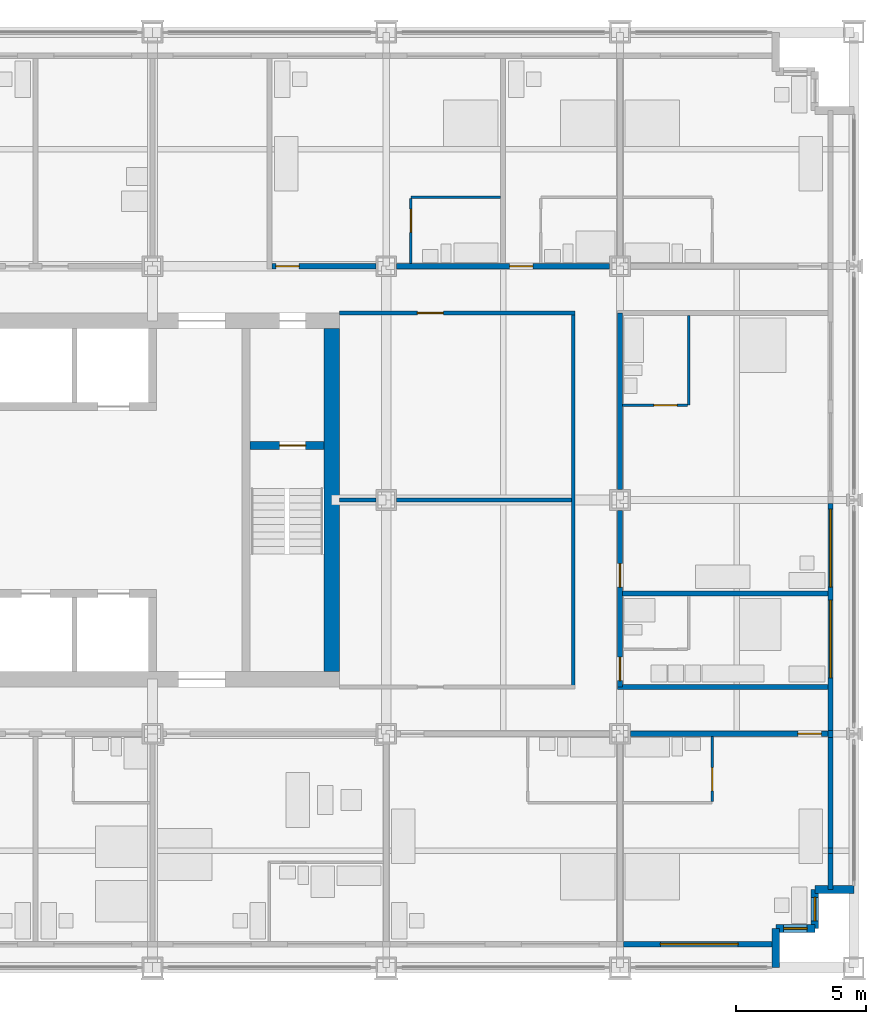
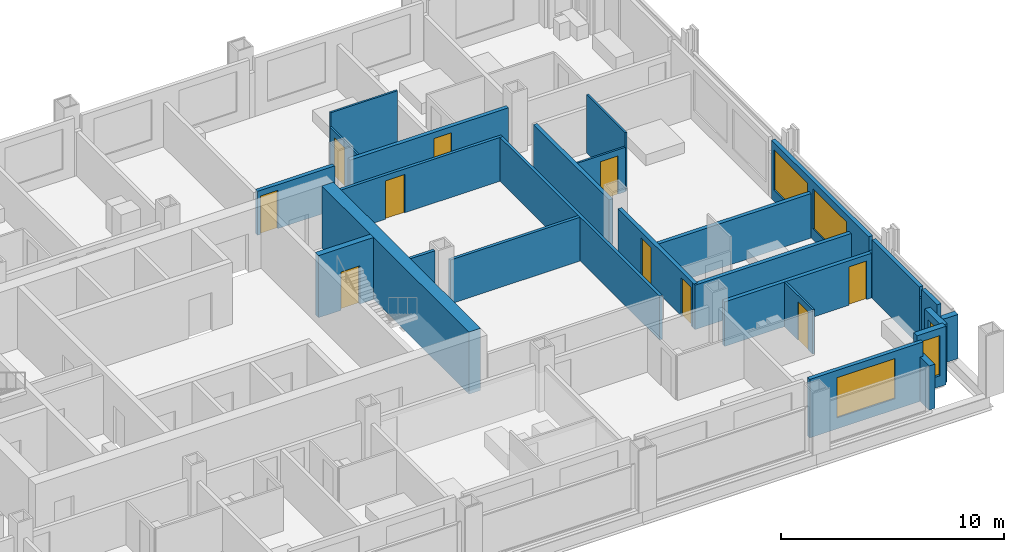
# One storey, part 13 of 18: 28 walls, 10 doors, 5 windows, 15 openings.
"""IFC4 building model written with IfcOpenShell, lengths in metres."""

from ifc_helpers import new_model, si_unit, direction, frame, frame_2d, origin, place, context, subcontext, project, spatial, rectangle, extrude, material, layer, layer_set, type_object, element, fill, save


model = new_model("IFC4")

# Units and contexts
model_context = context("Model", 3, precision=1e-05, world=origin(), true_north=direction((0.0, 1.0)))
body_context = subcontext(model_context, "Body", "Model", "MODEL_VIEW")
ifc_project = project(units=[si_unit("LENGTHUNIT", "METRE"), si_unit("AREAUNIT", "SQUARE_METRE"), si_unit("VOLUMEUNIT", "CUBIC_METRE"), si_unit("PLANEANGLEUNIT", "RADIAN"), si_unit("MASSUNIT", "GRAM", prefix="KILO")], contexts=[model_context])

# Site, building, storey
site_placement = place(None, origin())
site = spatial("IfcSite", under=ifc_project, at=site_placement, CompositionType="ELEMENT")
building_placement = place(site_placement, origin())
building = spatial("IfcBuilding", under=site, at=building_placement, Name="Loomwork Tower", CompositionType="ELEMENT")
storey_placement = place(building_placement, frame((0.0, 0.0, 68.800048828125)))
storey = spatial("IfcBuildingStorey", under=building, at=storey_placement, Name="L17", CompositionType="ELEMENT", Elevation=68.800048828125)

# Wall, opening, door
ifc_material_1 = material(Name="Concrete 14000 psi (97 MPa)", Category="concrete")
ifc_layer_1 = layer(ifc_material_1, 0.300048828125)
ifc_layer_set_1 = layer_set([ifc_layer_1], Name="Core shear wall 300")
wall_type_1 = type_object("IfcWallType", Name="Core shear wall 300", PredefinedType="SHEAR", material=ifc_layer_set_1)
wall_1_placement = place(storey_placement, frame((30.75, 20.10009765625, 0.0), z_axis=(0.0, 0.0, 1.0), x_axis=(1.0, 0.0, 0.0)))
wall_1 = element("IfcWall", 1, at=wall_1_placement, inside=storey, type_object=wall_type_1, Name="Stair B north wall L17", PredefinedType="SHEAR", context=body_context, shape_type="SweptSolid", body=[
    extrude(rectangle(XDim=2.85009765625, YDim=0.300048828125, at=frame_2d((1.425048828125, 0.0))), origin(), (0.0, 0.0, 1.0), 3.39990234375),
])
opening_1_placement = place(wall_1_placement, frame((1.14990234375, 0.0, 0.0)))
opening_1 = element("IfcOpeningElement", 2, at=opening_1_placement, cuts=wall_1, Name="Opening D4", PredefinedType="OPENING", context=body_context, shape_type="SweptSolid", body=[
    extrude(rectangle(XDim=1.0, YDim=2.10009765625, at=frame_2d((0.5, 1.050048828125))), frame((0.0, 0.159912109375, 0.0), z_axis=(0.0, -1.0, 0.0), x_axis=(1.0, 0.0, 0.0)), (0.0, 0.0, 1.0), 0.320068359375),
])
ifc_material_2 = material(Name="Hollow metal door and frame")
door_type_1 = type_object("IfcDoorType", Name="Stair door 1000", OperationType="SINGLE_SWING_RIGHT", PredefinedType="DOOR", material=ifc_material_2)
door_1_placement = place(opening_1_placement, frame((1.0, 0.0, 0.0), z_axis=(0.0, 0.0, 1.0), x_axis=(-1.0, 0.0, 0.0)))
door_1 = element("IfcDoor", 3, at=door_1_placement, inside=storey, type_object=door_type_1, Name="Stair B door", OperationType="SINGLE_SWING_LEFT", OverallHeight=2.10009765625, OverallWidth=1.0, PredefinedType="DOOR", context=body_context, shape_type="SweptSolid", body=[
    extrude(rectangle(XDim=1.0, YDim=2.10009765625, at=frame_2d((0.5, 1.050048828125))), frame((0.0, 0.02490234375, 0.0), z_axis=(0.0, -1.0, 0.0), x_axis=(1.0, 0.0, 0.0)), (0.0, 0.0, 1.0), 0.050048828125),
])
fill(opening_1, door_1)

# Wall
ifc_material_3 = material(Name="Concrete 14000 psi (97 MPa)", Category="concrete")
ifc_layer_2 = layer(ifc_material_3, 0.60009765625)
ifc_layer_set_2 = layer_set([ifc_layer_2], Name="Core shear wall 600")
wall_type_2 = type_object("IfcWallType", Name="Core shear wall 600", PredefinedType="SHEAR", material=ifc_layer_set_2)
wall_2_placement = place(storey_placement, frame((33.89990234375, 11.39990234375, 0.0), z_axis=(0.0, 0.0, 1.0), x_axis=(0.0, 1.0, 0.0)))
element("IfcWall", 4, at=wall_2_placement, inside=storey, type_object=wall_type_2, Name="Core wall east L17", PredefinedType="SHEAR", context=body_context, shape_type="SweptSolid", body=[
    extrude(rectangle(XDim=13.2001953125, YDim=0.60009765625, at=frame_2d((6.60009765625, 0.0))), origin(), (0.0, 0.0, 1.0), 3.39990234375),
])

# Wall, opening, door
ifc_material_4 = material(Name="Gypsum board on steel studs, one-hour", Category="steel")
ifc_layer_3 = layer(ifc_material_4, 0.199951171875)
ifc_layer_set_3 = layer_set([ifc_layer_3], Name="Corridor wall 200")
wall_type_3 = type_object("IfcWallType", Name="Corridor wall 200", PredefinedType="PARTITIONING", material=ifc_layer_set_3)
wall_3_placement = place(storey_placement, frame((45.39990234375, 9.0, 0.0), z_axis=(0.0, 0.0, 1.0), x_axis=(1.0, 0.0, 0.0)))
wall_3 = element("IfcWall", 5, at=wall_3_placement, inside=storey, type_object=wall_type_3, Name="South corridor wall 6", PredefinedType="PARTITIONING", context=body_context, shape_type="SweptSolid", body=[
    extrude(rectangle(XDim=7.60009765625, YDim=0.199951171875, at=frame_2d((3.800048828125, 0.0))), origin(), (0.0, 0.0, 1.0), 2.43798828125),
])
opening_2_placement = place(wall_3_placement, frame((6.449951171875, 0.0, 0.0)))
opening_2 = element("IfcOpeningElement", 6, at=opening_2_placement, cuts=wall_3, Name="Opening D1", PredefinedType="OPENING", context=body_context, shape_type="SweptSolid", body=[
    extrude(rectangle(XDim=0.89990234375, YDim=2.10009765625, at=frame_2d((0.449951171875, 1.050048828125))), frame((0.0, 0.10986328125, 0.0), z_axis=(0.0, -1.0, 0.0), x_axis=(1.0, 0.0, 0.0)), (0.0, 0.0, 1.0), 0.219970703125),
])
ifc_material_5 = material(Name="Hollow metal door and frame")
door_type_2 = type_object("IfcDoorType", Name="Guest room entry door 900", OperationType="SINGLE_SWING_LEFT", PredefinedType="DOOR", material=ifc_material_5)
door_2_placement = place(opening_2_placement, frame((0.89990234375, 0.0, 0.0), z_axis=(0.0, 0.0, 1.0), x_axis=(-1.0, 0.0, 0.0)))
door_2 = element("IfcDoor", 7, at=door_2_placement, inside=storey, type_object=door_type_2, Name="Guest room entry door L17 7", OperationType="SINGLE_SWING_LEFT", OverallHeight=2.10009765625, OverallWidth=0.89990234375, PredefinedType="DOOR", context=body_context, shape_type="SweptSolid", body=[
    extrude(rectangle(XDim=0.89990234375, YDim=2.10009765625, at=frame_2d((0.449951171875, 1.050048828125))), frame((0.0, 0.02490234375, 0.0), z_axis=(0.0, -1.0, 0.0), x_axis=(1.0, 0.0, 0.0)), (0.0, 0.0, 1.0), 0.050048828125),
])
fill(opening_2, door_2)

wall_4_placement = place(storey_placement, frame((31.60009765625, 27.0, 0.0), z_axis=(0.0, 0.0, 1.0), x_axis=(1.0, 0.0, 0.0)))
wall_4 = element("IfcWall", 8, at=wall_4_placement, inside=storey, type_object=wall_type_3, Name="North corridor wall 4", PredefinedType="PARTITIONING", context=body_context, shape_type="SweptSolid", body=[
    extrude(rectangle(XDim=4.0, YDim=0.199951171875, at=frame_2d((2.0, 0.0))), origin(), (0.0, 0.0, 1.0), 2.405029296875),
])
opening_3_placement = place(wall_4_placement, frame((0.14990234375, 0.0, 0.0)))
opening_3 = element("IfcOpeningElement", 9, at=opening_3_placement, cuts=wall_4, Name="Opening D1", PredefinedType="OPENING", context=body_context, shape_type="SweptSolid", body=[
    extrude(rectangle(XDim=0.89990234375, YDim=2.10009765625, at=frame_2d((0.449951171875, 1.050048828125))), frame((0.0, 0.10986328125, 0.0), z_axis=(0.0, -1.0, 0.0), x_axis=(1.0, 0.0, 0.0)), (0.0, 0.0, 1.0), 0.219970703125),
])
door_3_placement = place(opening_3_placement, origin())
door_3 = element("IfcDoor", 10, at=door_3_placement, inside=storey, type_object=door_type_2, Name="Guest room entry door L17 13", OperationType="SINGLE_SWING_LEFT", OverallHeight=2.10009765625, OverallWidth=0.89990234375, PredefinedType="DOOR", context=body_context, shape_type="SweptSolid", body=[
    extrude(rectangle(XDim=0.89990234375, YDim=2.10009765625, at=frame_2d((0.449951171875, 1.050048828125))), frame((0.0, 0.02490234375, 0.0), z_axis=(0.0, -1.0, 0.0), x_axis=(1.0, 0.0, 0.0)), (0.0, 0.0, 1.0), 0.050048828125),
])
fill(opening_3, door_3)

wall_5_placement = place(storey_placement, frame((36.39990234375, 27.0, 0.0), z_axis=(0.0, 0.0, 1.0), x_axis=(1.0, 0.0, 0.0)))
wall_5 = element("IfcWall", 11, at=wall_5_placement, inside=storey, type_object=wall_type_3, Name="North corridor wall 5", PredefinedType="PARTITIONING", context=body_context, shape_type="SweptSolid", body=[
    extrude(rectangle(XDim=8.2001953125, YDim=0.199951171875, at=frame_2d((4.10009765625, 0.0))), origin(), (0.0, 0.0, 1.0), 2.43798828125),
])
opening_4_placement = place(wall_5_placement, frame((4.35009765625, 0.0, 0.0)))
opening_4 = element("IfcOpeningElement", 12, at=opening_4_placement, cuts=wall_5, Name="Opening D1", PredefinedType="OPENING", context=body_context, shape_type="SweptSolid", body=[
    extrude(rectangle(XDim=0.89990234375, YDim=2.10009765625, at=frame_2d((0.449951171875, 1.050048828125))), frame((0.0, 0.10986328125, 0.0), z_axis=(0.0, -1.0, 0.0), x_axis=(1.0, 0.0, 0.0)), (0.0, 0.0, 1.0), 0.219970703125),
])
door_4_placement = place(opening_4_placement, origin())
door_4 = element("IfcDoor", 13, at=door_4_placement, inside=storey, type_object=door_type_2, Name="Guest room entry door L17 14", OperationType="SINGLE_SWING_LEFT", OverallHeight=2.10009765625, OverallWidth=0.89990234375, PredefinedType="DOOR", context=body_context, shape_type="SweptSolid", body=[
    extrude(rectangle(XDim=0.89990234375, YDim=2.10009765625, at=frame_2d((0.449951171875, 1.050048828125))), frame((0.0, 0.02490234375, 0.0), z_axis=(0.0, -1.0, 0.0), x_axis=(1.0, 0.0, 0.0)), (0.0, 0.0, 1.0), 0.050048828125),
])
fill(opening_4, door_4)

# Wall, openings, doors
wall_6_placement = place(storey_placement, frame((45.0, 10.800048828125, 0.0), z_axis=(0.0, 0.0, 1.0), x_axis=(0.0, 1.0, 0.0)))
wall_6 = element("IfcWall", 14, at=wall_6_placement, inside=storey, type_object=wall_type_3, Name="East corridor wall 1", PredefinedType="PARTITIONING", context=body_context, shape_type="SweptSolid", body=[
    extrude(rectangle(XDim=6.800048828125, YDim=0.199951171875, at=frame_2d((3.39990234375, 0.0))), origin(), (0.0, 0.0, 1.0), 2.43798828125),
])
opening_5_placement = place(wall_6_placement, frame((0.25, 0.0, 0.0)))
opening_5 = element("IfcOpeningElement", 15, at=opening_5_placement, cuts=wall_6, Name="Opening D1", PredefinedType="OPENING", context=body_context, shape_type="SweptSolid", body=[
    extrude(rectangle(XDim=0.89990234375, YDim=2.10009765625, at=frame_2d((0.449951171875, 1.050048828125))), frame((0.0, 0.10986328125, 0.0), z_axis=(0.0, -1.0, 0.0), x_axis=(1.0, 0.0, 0.0)), (0.0, 0.0, 1.0), 0.219970703125),
])
opening_6_placement = place(wall_6_placement, frame((3.85009765625, 0.0, 0.0)))
opening_6 = element("IfcOpeningElement", 16, at=opening_6_placement, cuts=wall_6, Name="Opening D1", PredefinedType="OPENING", context=body_context, shape_type="SweptSolid", body=[
    extrude(rectangle(XDim=0.89990234375, YDim=2.10009765625, at=frame_2d((0.449951171875, 1.050048828125))), frame((0.0, 0.10986328125, 0.0), z_axis=(0.0, -1.0, 0.0), x_axis=(1.0, 0.0, 0.0)), (0.0, 0.0, 1.0), 0.219970703125),
])
door_5_placement = place(opening_5_placement, frame((0.89990234375, 0.0, 0.0), z_axis=(0.0, 0.0, 1.0), x_axis=(-1.0, 0.0, 0.0)))
door_5 = element("IfcDoor", 17, at=door_5_placement, inside=storey, type_object=door_type_2, Name="Guest room entry door L17 18", OperationType="SINGLE_SWING_RIGHT", OverallHeight=2.10009765625, OverallWidth=0.89990234375, PredefinedType="DOOR", context=body_context, shape_type="SweptSolid", body=[
    extrude(rectangle(XDim=0.89990234375, YDim=2.10009765625, at=frame_2d((0.449951171875, 1.050048828125))), frame((0.0, 0.02490234375, 0.0), z_axis=(0.0, -1.0, 0.0), x_axis=(1.0, 0.0, 0.0)), (0.0, 0.0, 1.0), 0.050048828125),
])
fill(opening_5, door_5)
door_6_placement = place(opening_6_placement, frame((0.89990234375, 0.0, 0.0), z_axis=(0.0, 0.0, 1.0), x_axis=(-1.0, 0.0, 0.0)))
door_6 = element("IfcDoor", 18, at=door_6_placement, inside=storey, type_object=door_type_2, Name="Guest room entry door L17 19", OperationType="SINGLE_SWING_RIGHT", OverallHeight=2.10009765625, OverallWidth=0.89990234375, PredefinedType="DOOR", context=body_context, shape_type="SweptSolid", body=[
    extrude(rectangle(XDim=0.89990234375, YDim=2.10009765625, at=frame_2d((0.449951171875, 1.050048828125))), frame((0.0, 0.02490234375, 0.0), z_axis=(0.0, -1.0, 0.0), x_axis=(1.0, 0.0, 0.0)), (0.0, 0.0, 1.0), 0.050048828125),
])
fill(opening_6, door_6)

# Walls
wall_7_placement = place(storey_placement, frame((45.0, 18.39990234375, 0.0), z_axis=(0.0, 0.0, 1.0), x_axis=(0.0, 1.0, 0.0)))
element("IfcWall", 19, at=wall_7_placement, inside=storey, type_object=wall_type_3, Name="East corridor wall 2", PredefinedType="PARTITIONING", context=body_context, shape_type="SweptSolid", body=[
    extrude(rectangle(XDim=6.800048828125, YDim=0.199951171875, at=frame_2d((3.39990234375, 0.0))), origin(), (0.0, 0.0, 1.0), 2.43798828125),
])
wall_8_placement = place(storey_placement, frame((44.89990234375, 10.800048828125, 0.0), z_axis=(0.0, 0.0, 1.0), x_axis=(1.0, 0.0, 0.0)))
element("IfcWall", 20, at=wall_8_placement, inside=storey, type_object=wall_type_3, Name="East band end wall S", PredefinedType="PARTITIONING", context=body_context, shape_type="SweptSolid", body=[
    extrude(rectangle(XDim=8.10009765625, YDim=0.199951171875, at=frame_2d((4.050048828125, 0.0))), origin(), (0.0, 0.0, 1.0), 2.43798828125),
])

# Wall, opening, door
ifc_material_6 = material(Name="Cement board on steel studs", Category="steel")
ifc_layer_4 = layer(ifc_material_6, 0.10009765625)
ifc_layer_set_4 = layer_set([ifc_layer_4], Name="En-suite partition 100")
wall_type_4 = type_object("IfcWallType", Name="En-suite partition 100", PredefinedType="PARTITIONING", material=ifc_layer_set_4)
wall_9_placement = place(storey_placement, frame((48.550048828125, 8.89990234375, 0.0), z_axis=(0.0, 0.0, 1.0), x_axis=(0.0, -1.0, 0.0)))
wall_9 = element("IfcWall", 21, at=wall_9_placement, inside=storey, type_object=wall_type_4, Name="En-suite side wall L17 room 7", PredefinedType="PARTITIONING", context=body_context, shape_type="SweptSolid", body=[
    extrude(rectangle(XDim=2.5, YDim=0.10009765625, at=frame_2d((1.25, 0.0))), origin(), (0.0, 0.0, 1.0), 2.43798828125),
])
opening_7_placement = place(wall_9_placement, frame((1.199951171875, 0.0, 0.0)))
opening_7 = element("IfcOpeningElement", 22, at=opening_7_placement, cuts=wall_9, Name="Opening D2", PredefinedType="OPENING", context=body_context, shape_type="SweptSolid", body=[
    extrude(rectangle(XDim=0.89990234375, YDim=2.10009765625, at=frame_2d((0.449951171875, 1.050048828125))), frame((0.0, 0.06005859375, 0.0), z_axis=(0.0, -1.0, 0.0), x_axis=(1.0, 0.0, 0.0)), (0.0, 0.0, 1.0), 0.1201171875),
])
ifc_material_7 = material(Name="Hollow metal door and frame")
door_type_3 = type_object("IfcDoorType", Name="En-suite door 900", OperationType="SINGLE_SWING_LEFT", PredefinedType="DOOR", material=ifc_material_7)
door_7_placement = place(opening_7_placement, frame((0.89990234375, 0.0, 0.0), z_axis=(0.0, 0.0, 1.0), x_axis=(-1.0, 0.0, 0.0)))
door_7 = element("IfcDoor", 23, at=door_7_placement, inside=storey, type_object=door_type_3, Name="En-suite door room 7", OperationType="SINGLE_SWING_LEFT", OverallHeight=2.10009765625, OverallWidth=0.89990234375, PredefinedType="DOOR", context=body_context, shape_type="SweptSolid", body=[
    extrude(rectangle(XDim=0.89990234375, YDim=2.10009765625, at=frame_2d((0.449951171875, 1.050048828125))), frame((0.0, 0.02490234375, 0.0), z_axis=(0.0, -1.0, 0.0), x_axis=(1.0, 0.0, 0.0)), (0.0, 0.0, 1.0), 0.050048828125),
])
fill(opening_7, door_7)

# Wall
wall_10_placement = place(storey_placement, frame((36.949951171875, 29.64990234375, 0.0), z_axis=(0.0, 0.0, 1.0), x_axis=(1.0, 0.0, 0.0)))
element("IfcWall", 24, at=wall_10_placement, inside=storey, type_object=wall_type_4, Name="En-suite wall L17 room 13", PredefinedType="PARTITIONING", context=body_context, shape_type="SweptSolid", body=[
    extrude(rectangle(XDim=3.449951171875, YDim=0.10009765625, at=frame_2d((1.72509765625, 0.0))), origin(), (0.0, 0.0, 1.0), 3.199951171875),
])

# Wall, opening, door
wall_11_placement = place(storey_placement, frame((36.949951171875, 27.10009765625, 0.0), z_axis=(0.0, 0.0, 1.0), x_axis=(0.0, 1.0, 0.0)))
wall_11 = element("IfcWall", 25, at=wall_11_placement, inside=storey, type_object=wall_type_4, Name="En-suite side wall L17 room 13", PredefinedType="PARTITIONING", context=body_context, shape_type="SweptSolid", body=[
    extrude(rectangle(XDim=2.5, YDim=0.10009765625, at=frame_2d((1.25, 0.0))), origin(), (0.0, 0.0, 1.0), 2.43798828125),
])
opening_8_placement = place(wall_11_placement, frame((1.199951171875, 0.0, 0.0)))
opening_8 = element("IfcOpeningElement", 26, at=opening_8_placement, cuts=wall_11, Name="Opening D2", PredefinedType="OPENING", context=body_context, shape_type="SweptSolid", body=[
    extrude(rectangle(XDim=0.89990234375, YDim=2.10009765625, at=frame_2d((0.449951171875, 1.050048828125))), frame((0.0, 0.06005859375, 0.0), z_axis=(0.0, -1.0, 0.0), x_axis=(1.0, 0.0, 0.0)), (0.0, 0.0, 1.0), 0.1201171875),
])
door_8_placement = place(opening_8_placement, frame((0.89990234375, 0.0, 0.0), z_axis=(0.0, 0.0, 1.0), x_axis=(-1.0, 0.0, 0.0)))
door_8 = element("IfcDoor", 27, at=door_8_placement, inside=storey, type_object=door_type_3, Name="En-suite door room 13", OperationType="SINGLE_SWING_LEFT", OverallHeight=2.10009765625, OverallWidth=0.89990234375, PredefinedType="DOOR", context=body_context, shape_type="SweptSolid", body=[
    extrude(rectangle(XDim=0.89990234375, YDim=2.10009765625, at=frame_2d((0.449951171875, 1.050048828125))), frame((0.0, 0.02490234375, 0.0), z_axis=(0.0, -1.0, 0.0), x_axis=(1.0, 0.0, 0.0)), (0.0, 0.0, 1.0), 0.050048828125),
])
fill(opening_8, door_8)

# Wall
wall_12_placement = place(storey_placement, frame((47.64990234375, 21.64990234375, 0.0), z_axis=(0.0, 0.0, 1.0), x_axis=(0.0, 1.0, 0.0)))
element("IfcWall", 28, at=wall_12_placement, inside=storey, type_object=wall_type_4, Name="En-suite wall L17 room 19", PredefinedType="PARTITIONING", context=body_context, shape_type="SweptSolid", body=[
    extrude(rectangle(XDim=3.4501953125, YDim=0.10009765625, at=frame_2d((1.72509765625, 0.0))), origin(), (0.0, 0.0, 1.0), 3.199951171875),
])

# Wall, opening, door
wall_13_placement = place(storey_placement, frame((45.10009765625, 21.64990234375, 0.0), z_axis=(0.0, 0.0, 1.0), x_axis=(1.0, 0.0, 0.0)))
wall_13 = element("IfcWall", 29, at=wall_13_placement, inside=storey, type_object=wall_type_4, Name="En-suite side wall L17 room 19", PredefinedType="PARTITIONING", context=body_context, shape_type="SweptSolid", body=[
    extrude(rectangle(XDim=2.5, YDim=0.10009765625, at=frame_2d((1.25, 0.0))), origin(), (0.0, 0.0, 1.0), 2.43798828125),
])
opening_9_placement = place(wall_13_placement, frame((1.199951171875, 0.0, 0.0)))
opening_9 = element("IfcOpeningElement", 30, at=opening_9_placement, cuts=wall_13, Name="Opening D2", PredefinedType="OPENING", context=body_context, shape_type="SweptSolid", body=[
    extrude(rectangle(XDim=0.89990234375, YDim=2.10009765625, at=frame_2d((0.449951171875, 1.050048828125))), frame((0.0, 0.06005859375, 0.0), z_axis=(0.0, -1.0, 0.0), x_axis=(1.0, 0.0, 0.0)), (0.0, 0.0, 1.0), 0.1201171875),
])
door_9_placement = place(opening_9_placement, origin())
door_9 = element("IfcDoor", 31, at=door_9_placement, inside=storey, type_object=door_type_3, Name="En-suite door room 19", OperationType="SINGLE_SWING_RIGHT", OverallHeight=2.10009765625, OverallWidth=0.89990234375, PredefinedType="DOOR", context=body_context, shape_type="SweptSolid", body=[
    extrude(rectangle(XDim=0.89990234375, YDim=2.10009765625, at=frame_2d((0.449951171875, 1.050048828125))), frame((0.0, 0.02490234375, 0.0), z_axis=(0.0, -1.0, 0.0), x_axis=(1.0, 0.0, 0.0)), (0.0, 0.0, 1.0), 0.050048828125),
])
fill(opening_9, door_9)

# Walls
ifc_material_8 = material(Name="Gypsum board on steel studs, acoustic", Category="steel")
ifc_layer_5 = layer(ifc_material_8, 0.199951171875)
ifc_layer_set_5 = layer_set([ifc_layer_5], Name="Guest room party wall 200")
wall_type_5 = type_object("IfcWallType", Name="Guest room party wall 200", PredefinedType="PARTITIONING", material=ifc_layer_set_5)
wall_14_placement = place(storey_placement, frame((45.10009765625, 14.39990234375, 0.0), z_axis=(0.0, 0.0, 1.0), x_axis=(1.0, 0.0, 0.0)))
element("IfcWall", 32, at=wall_14_placement, inside=storey, type_object=wall_type_5, Name="Guest room party wall E 14.4", PredefinedType="PARTITIONING", context=body_context, shape_type="SweptSolid", body=[
    extrude(rectangle(XDim=7.89990234375, YDim=0.199951171875, at=frame_2d((3.949951171875, 0.0))), origin(), (0.0, 0.0, 1.0), 2.43798828125),
])
ifc_material_9 = material(Name="Insulated steel stud wall with gypsum lining", Category="steel")
ifc_layer_6 = layer(ifc_material_9, 0.199951171875)
ifc_layer_set_6 = layer_set([ifc_layer_6], Name="Inner skin wall 200")
wall_type_6 = type_object("IfcWallType", Name="Inner skin wall 200", PredefinedType="SOLIDWALL", material=ifc_layer_set_6)
wall_15_placement = place(storey_placement, frame((53.10009765625, 3.0, 0.0), z_axis=(0.0, 0.0, 1.0), x_axis=(0.0, 1.0, 0.0)))
element("IfcWall", 33, at=wall_15_placement, inside=storey, type_object=wall_type_6, Name="Inner skin wall E", PredefinedType="SOLIDWALL", context=body_context, shape_type="SweptSolid", body=[
    extrude(rectangle(XDim=1.392578125, YDim=0.199951171875, at=frame_2d((0.6962890625, 0.0))), origin(), (0.0, 0.0, 1.0), 3.199951171875),
])

# Wall, opening, window
wall_16_placement = place(storey_placement, frame((45.135498046875, 0.89990234375, 0.0), z_axis=(0.0, 0.0, 1.0), x_axis=(1.0, 0.0, 0.0)))
wall_16 = element("IfcWall", 34, at=wall_16_placement, inside=storey, type_object=wall_type_6, Name="Inner skin wall S bay 11", PredefinedType="SOLIDWALL", context=body_context, shape_type="SweptSolid", body=[
    extrude(rectangle(XDim=5.864501953125, YDim=0.199951171875, at=frame_2d((2.93212890625, 0.0))), origin(), (0.0, 0.0, 1.0), 3.199951171875),
])
opening_10_placement = place(wall_16_placement, frame((1.41455078125, 0.0, 0.60009765625)))
opening_10 = element("IfcOpeningElement", 35, at=opening_10_placement, cuts=wall_16, Name="Opening CH1", PredefinedType="OPENING", context=body_context, shape_type="SweptSolid", body=[
    extrude(rectangle(XDim=3.0, YDim=2.199951171875, at=frame_2d((1.5, 1.10009765625))), frame((0.0, 0.10986328125, 0.0), z_axis=(0.0, -1.0, 0.0), x_axis=(1.0, 0.0, 0.0)), (0.0, 0.0, 1.0), 0.219970703125),
])
ifc_material_10 = material(Name="Aluminium frame with clear insulated glass", Category="aluminium")
window_type_1 = type_object("IfcWindowType", Name="Chicago window 3000", PartitioningType="TRIPLE_PANEL_VERTICAL", PredefinedType="WINDOW", material=ifc_material_10)
window_1_placement = place(opening_10_placement, origin())
window_1 = element("IfcWindow", 36, at=window_1_placement, inside=storey, type_object=window_type_1, Name="Chicago window L17 bay 6", OverallHeight=2.199951171875, OverallWidth=3.0, PartitioningType="TRIPLE_PANEL_VERTICAL", PredefinedType="WINDOW", context=body_context, shape_type="SweptSolid", body=[
    extrude(rectangle(XDim=3.0, YDim=2.199951171875, at=frame_2d((1.5, 1.10009765625))), frame((0.0, 0.030029296875, 0.0), z_axis=(0.0, -1.0, 0.0), x_axis=(1.0, 0.0, 0.0)), (0.0, 0.0, 1.0), 0.06005859375),
])
fill(opening_10, window_1)

# Walls
wall_17_placement = place(storey_placement, frame((53.10009765625, 4.392578125, 0.0), z_axis=(0.0, 0.0, 1.0), x_axis=(0.0, 1.0, 0.0)))
element("IfcWall", 37, at=wall_17_placement, inside=storey, type_object=wall_type_6, Name="Inner skin wall E bay 2", PredefinedType="SOLIDWALL", context=body_context, shape_type="SweptSolid", body=[
    extrude(rectangle(XDim=0.21484375, YDim=0.199951171875, at=frame_2d((0.107421875, 0.0))), origin(), (0.0, 0.0, 1.0), 2.660888671875),
])
wall_18_placement = place(storey_placement, frame((53.10009765625, 4.607421875, 0.0), z_axis=(0.0, 0.0, 1.0), x_axis=(0.0, 1.0, 0.0)))
element("IfcWall", 38, at=wall_18_placement, inside=storey, type_object=wall_type_6, Name="Inner skin wall E bay 3", PredefinedType="SOLIDWALL", context=body_context, shape_type="SweptSolid", body=[
    extrude(rectangle(XDim=4.25732421875, YDim=0.199951171875, at=frame_2d((2.128662109375, 0.0))), origin(), (0.0, 0.0, 1.0), 3.199951171875),
])
wall_19_placement = place(storey_placement, frame((53.10009765625, 8.86474609375, 0.0), z_axis=(0.0, 0.0, 1.0), x_axis=(0.0, 1.0, 0.0)))
element("IfcWall", 39, at=wall_19_placement, inside=storey, type_object=wall_type_6, Name="Inner skin wall E bay 4", PredefinedType="SOLIDWALL", context=body_context, shape_type="SweptSolid", body=[
    extrude(rectangle(XDim=0.2705078125, YDim=0.199951171875, at=frame_2d((0.13525390625, 0.0))), origin(), (0.0, 0.0, 1.0), 2.43798828125),
])

# Wall, openings, windows
wall_20_placement = place(storey_placement, frame((53.10009765625, 9.13525390625, 0.0), z_axis=(0.0, 0.0, 1.0), x_axis=(0.0, 1.0, 0.0)))
wall_20 = element("IfcWall", 40, at=wall_20_placement, inside=storey, type_object=wall_type_6, Name="Inner skin wall E bay 5", PredefinedType="SOLIDWALL", context=body_context, shape_type="SweptSolid", body=[
    extrude(rectangle(XDim=8.729248046875, YDim=0.199951171875, at=frame_2d((4.36474609375, 0.0))), origin(), (0.0, 0.0, 1.0), 3.199951171875),
])
opening_11_placement = place(wall_20_placement, frame((2.0146484375, 0.0, 0.60009765625)))
opening_11 = element("IfcOpeningElement", 41, at=opening_11_placement, cuts=wall_20, Name="Opening CH1", PredefinedType="OPENING", context=body_context, shape_type="SweptSolid", body=[
    extrude(rectangle(XDim=3.0, YDim=2.199951171875, at=frame_2d((1.5, 1.10009765625))), frame((0.0, 0.10986328125, 0.0), z_axis=(0.0, -1.0, 0.0), x_axis=(1.0, 0.0, 0.0)), (0.0, 0.0, 1.0), 0.219970703125),
])
opening_12_placement = place(wall_20_placement, frame((5.5146484375, 0.0, 0.60009765625)))
opening_12 = element("IfcOpeningElement", 42, at=opening_12_placement, cuts=wall_20, Name="Opening CH1", PredefinedType="OPENING", context=body_context, shape_type="SweptSolid", body=[
    extrude(rectangle(XDim=3.0, YDim=2.199951171875, at=frame_2d((1.5, 1.10009765625))), frame((0.0, 0.10986328125, 0.0), z_axis=(0.0, -1.0, 0.0), x_axis=(1.0, 0.0, 0.0)), (0.0, 0.0, 1.0), 0.219970703125),
])
window_2_placement = place(opening_11_placement, origin())
window_2 = element("IfcWindow", 43, at=window_2_placement, inside=storey, type_object=window_type_1, Name="Chicago window L17 bay 15", OverallHeight=2.199951171875, OverallWidth=3.0, PartitioningType="TRIPLE_PANEL_VERTICAL", PredefinedType="WINDOW", context=body_context, shape_type="SweptSolid", body=[
    extrude(rectangle(XDim=3.0, YDim=2.199951171875, at=frame_2d((1.5, 1.10009765625))), frame((0.0, 0.030029296875, 0.0), z_axis=(0.0, -1.0, 0.0), x_axis=(1.0, 0.0, 0.0)), (0.0, 0.0, 1.0), 0.06005859375),
])
fill(opening_11, window_2)
window_3_placement = place(opening_12_placement, origin())
window_3 = element("IfcWindow", 44, at=window_3_placement, inside=storey, type_object=window_type_1, Name="Chicago window L17 bay 15", OverallHeight=2.199951171875, OverallWidth=3.0, PartitioningType="TRIPLE_PANEL_VERTICAL", PredefinedType="WINDOW", context=body_context, shape_type="SweptSolid", body=[
    extrude(rectangle(XDim=3.0, YDim=2.199951171875, at=frame_2d((1.5, 1.10009765625))), frame((0.0, 0.030029296875, 0.0), z_axis=(0.0, -1.0, 0.0), x_axis=(1.0, 0.0, 0.0)), (0.0, 0.0, 1.0), 0.06005859375),
])
fill(opening_12, window_3)

# Wall
ifc_material_11 = material(Name="Limestone on concrete masonry", Category="masonry")
ifc_layer_7 = layer(ifc_material_11, 0.300048828125)
ifc_layer_set_7 = layer_set([ifc_layer_7], Name="Limestone corner wall 300")
wall_type_7 = type_object("IfcWallType", Name="Limestone corner wall 300", PredefinedType="SOLIDWALL", material=ifc_layer_set_7)
wall_21_placement = place(storey_placement, frame((51.0, 0.0, 0.0), z_axis=(0.0, 0.0, 1.0), x_axis=(0.0, 1.0, 0.0)))
element("IfcWall", 45, at=wall_21_placement, inside=storey, type_object=wall_type_7, Name="Stone corner wall SE 1", PredefinedType="SOLIDWALL", context=body_context, shape_type="SweptSolid", body=[
    extrude(rectangle(XDim=1.5, YDim=0.300048828125, at=frame_2d((0.75, 0.0))), origin(), (0.0, 0.0, 1.0), 2.419921875),
])

# Wall, opening, window
wall_22_placement = place(storey_placement, frame((51.0, 1.5, 0.0), z_axis=(0.0, 0.0, 1.0), x_axis=(1.0, 0.0, 0.0)))
wall_22 = element("IfcWall", 46, at=wall_22_placement, inside=storey, type_object=wall_type_7, Name="Stone corner wall SE 2", PredefinedType="SOLIDWALL", context=body_context, shape_type="SweptSolid", body=[
    extrude(rectangle(XDim=1.5, YDim=0.300048828125, at=frame_2d((0.75, 0.0))), origin(), (0.0, 0.0, 1.0), 3.199951171875),
])
opening_13_placement = place(wall_22_placement, frame((0.300048828125, 0.0, 0.60009765625)))
opening_13 = element("IfcOpeningElement", 47, at=opening_13_placement, cuts=wall_22, Name="Opening CH2", PredefinedType="OPENING", context=body_context, shape_type="SweptSolid", body=[
    extrude(rectangle(XDim=0.89990234375, YDim=2.199951171875, at=frame_2d((0.449951171875, 1.10009765625))), frame((0.0, 0.159912109375, 0.0), z_axis=(0.0, -1.0, 0.0), x_axis=(1.0, 0.0, 0.0)), (0.0, 0.0, 1.0), 0.320068359375),
])
ifc_material_12 = material(Name="Aluminium frame with clear insulated glass", Category="aluminium")
window_type_2 = type_object("IfcWindowType", Name="Corner window 900", PartitioningType="SINGLE_PANEL", PredefinedType="WINDOW", material=ifc_material_12)
window_4_placement = place(opening_13_placement, origin())
window_4 = element("IfcWindow", 48, at=window_4_placement, inside=storey, type_object=window_type_2, Name="Corner window SE", OverallHeight=2.199951171875, OverallWidth=0.89990234375, PartitioningType="SINGLE_PANEL", PredefinedType="WINDOW", context=body_context, shape_type="SweptSolid", body=[
    extrude(rectangle(XDim=0.89990234375, YDim=2.199951171875, at=frame_2d((0.449951171875, 1.10009765625))), frame((0.0, 0.030029296875, 0.0), z_axis=(0.0, -1.0, 0.0), x_axis=(1.0, 0.0, 0.0)), (0.0, 0.0, 1.0), 0.06005859375),
])
fill(opening_13, window_4)

wall_23_placement = place(storey_placement, frame((52.5, 1.5, 0.0), z_axis=(0.0, 0.0, 1.0), x_axis=(0.0, 1.0, 0.0)))
wall_23 = element("IfcWall", 49, at=wall_23_placement, inside=storey, type_object=wall_type_7, Name="Stone corner wall SE 3", PredefinedType="SOLIDWALL", context=body_context, shape_type="SweptSolid", body=[
    extrude(rectangle(XDim=1.5, YDim=0.300048828125, at=frame_2d((0.75, 0.0))), origin(), (0.0, 0.0, 1.0), 3.199951171875),
])
opening_14_placement = place(wall_23_placement, frame((0.300048828125, 0.0, 0.60009765625)))
opening_14 = element("IfcOpeningElement", 50, at=opening_14_placement, cuts=wall_23, Name="Opening CH2", PredefinedType="OPENING", context=body_context, shape_type="SweptSolid", body=[
    extrude(rectangle(XDim=0.89990234375, YDim=2.199951171875, at=frame_2d((0.449951171875, 1.10009765625))), frame((0.0, 0.159912109375, 0.0), z_axis=(0.0, -1.0, 0.0), x_axis=(1.0, 0.0, 0.0)), (0.0, 0.0, 1.0), 0.320068359375),
])
window_5_placement = place(opening_14_placement, origin())
window_5 = element("IfcWindow", 51, at=window_5_placement, inside=storey, type_object=window_type_2, Name="Corner window SE", OverallHeight=2.199951171875, OverallWidth=0.89990234375, PartitioningType="SINGLE_PANEL", PredefinedType="WINDOW", context=body_context, shape_type="SweptSolid", body=[
    extrude(rectangle(XDim=0.89990234375, YDim=2.199951171875, at=frame_2d((0.449951171875, 1.10009765625))), frame((0.0, 0.030029296875, 0.0), z_axis=(0.0, -1.0, 0.0), x_axis=(1.0, 0.0, 0.0)), (0.0, 0.0, 1.0), 0.06005859375),
])
fill(opening_14, window_5)

# Wall
wall_24_placement = place(storey_placement, frame((52.5, 3.0, 0.0), z_axis=(0.0, 0.0, 1.0), x_axis=(1.0, 0.0, 0.0)))
element("IfcWall", 52, at=wall_24_placement, inside=storey, type_object=wall_type_7, Name="Stone corner wall SE 4", PredefinedType="SOLIDWALL", context=body_context, shape_type="SweptSolid", body=[
    extrude(rectangle(XDim=1.5, YDim=0.300048828125, at=frame_2d((0.75, 0.0))), origin(), (0.0, 0.0, 1.0), 2.419921875),
])

# Wall, opening, door
ifc_material_13 = material(Name="Gypsum board on steel studs, one-hour", Category="steel")
ifc_layer_8 = layer(ifc_material_13, 0.14990234375)
ifc_layer_set_8 = layer_set([ifc_layer_8], Name="Service partition 150")
wall_type_8 = type_object("IfcWallType", Name="Service partition 150", PredefinedType="PARTITIONING", material=ifc_layer_set_8)
wall_25_placement = place(storey_placement, frame((34.199951171875, 25.199951171875, 0.0), z_axis=(0.0, 0.0, 1.0), x_axis=(1.0, 0.0, 0.0)))
wall_25 = element("IfcWall", 53, at=wall_25_placement, inside=storey, type_object=wall_type_8, Name="Service block wall N", PredefinedType="PARTITIONING", context=body_context, shape_type="SweptSolid", body=[
    extrude(rectangle(XDim=9.074951171875, YDim=0.14990234375, at=frame_2d((4.53759765625, 0.0))), origin(), (0.0, 0.0, 1.0), 2.404052734375),
])
opening_15_placement = place(wall_25_placement, frame((3.0, 0.0, 0.0)))
opening_15 = element("IfcOpeningElement", 54, at=opening_15_placement, cuts=wall_25, Name="Opening D5", PredefinedType="OPENING", context=body_context, shape_type="SweptSolid", body=[
    extrude(rectangle(XDim=1.0, YDim=2.10009765625, at=frame_2d((0.5, 1.050048828125))), frame((0.0, 0.0849609375, 0.0), z_axis=(0.0, -1.0, 0.0), x_axis=(1.0, 0.0, 0.0)), (0.0, 0.0, 1.0), 0.169921875),
])
ifc_material_14 = material(Name="Hollow metal door and frame")
door_type_4 = type_object("IfcDoorType", Name="Service door 1000", OperationType="SINGLE_SWING_LEFT", PredefinedType="DOOR", material=ifc_material_14)
door_10_placement = place(opening_15_placement, frame((1.0, 0.0, 0.0), z_axis=(0.0, 0.0, 1.0), x_axis=(-1.0, 0.0, 0.0)))
door_10 = element("IfcDoor", 55, at=door_10_placement, inside=storey, type_object=door_type_4, Name="Riser room door", OperationType="SINGLE_SWING_RIGHT", OverallHeight=2.10009765625, OverallWidth=1.0, PredefinedType="DOOR", context=body_context, shape_type="SweptSolid", body=[
    extrude(rectangle(XDim=1.0, YDim=2.10009765625, at=frame_2d((0.5, 1.050048828125))), frame((0.0, 0.02490234375, 0.0), z_axis=(0.0, -1.0, 0.0), x_axis=(1.0, 0.0, 0.0)), (0.0, 0.0, 1.0), 0.050048828125),
])
fill(opening_15, door_10)

# Walls
wall_26_placement = place(storey_placement, frame((43.199951171875, 10.800048828125, 0.0), z_axis=(0.0, 0.0, 1.0), x_axis=(0.0, 1.0, 0.0)))
element("IfcWall", 56, at=wall_26_placement, inside=storey, type_object=wall_type_8, Name="Service block east wall", PredefinedType="PARTITIONING", context=body_context, shape_type="SweptSolid", body=[
    extrude(rectangle(XDim=14.39990234375, YDim=0.14990234375, at=frame_2d((7.199951171875, 0.0))), origin(), (0.0, 0.0, 1.0), 2.404052734375),
])
wall_27_placement = place(storey_placement, frame((34.199951171875, 18.0, 0.0), z_axis=(0.0, 0.0, 1.0), x_axis=(1.0, 0.0, 0.0)))
element("IfcWall", 57, at=wall_27_placement, inside=storey, type_object=wall_type_8, Name="Service block divider", PredefinedType="PARTITIONING", context=body_context, shape_type="SweptSolid", body=[
    extrude(rectangle(XDim=1.400146484375, YDim=0.14990234375, at=frame_2d((0.7001953125, 0.0))), origin(), (0.0, 0.0, 1.0), 3.199951171875),
])
wall_28_placement = place(storey_placement, frame((36.39990234375, 18.0, 0.0), z_axis=(0.0, 0.0, 1.0), x_axis=(1.0, 0.0, 0.0)))
element("IfcWall", 58, at=wall_28_placement, inside=storey, type_object=wall_type_8, Name="Service block divider", PredefinedType="PARTITIONING", context=body_context, shape_type="SweptSolid", body=[
    extrude(rectangle(XDim=6.72509765625, YDim=0.14990234375, at=frame_2d((3.362548828125, 0.0))), origin(), (0.0, 0.0, 1.0), 2.405029296875),
])

save(model, "model.ifc")
